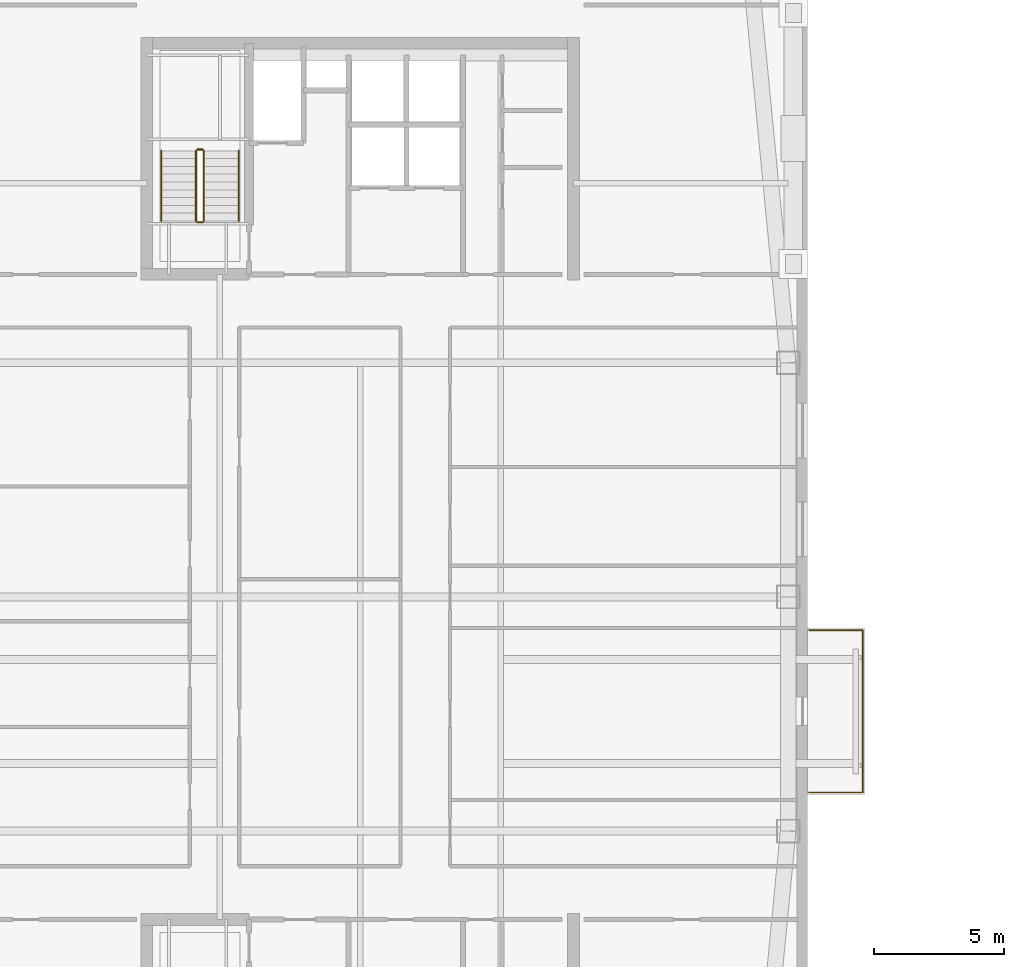
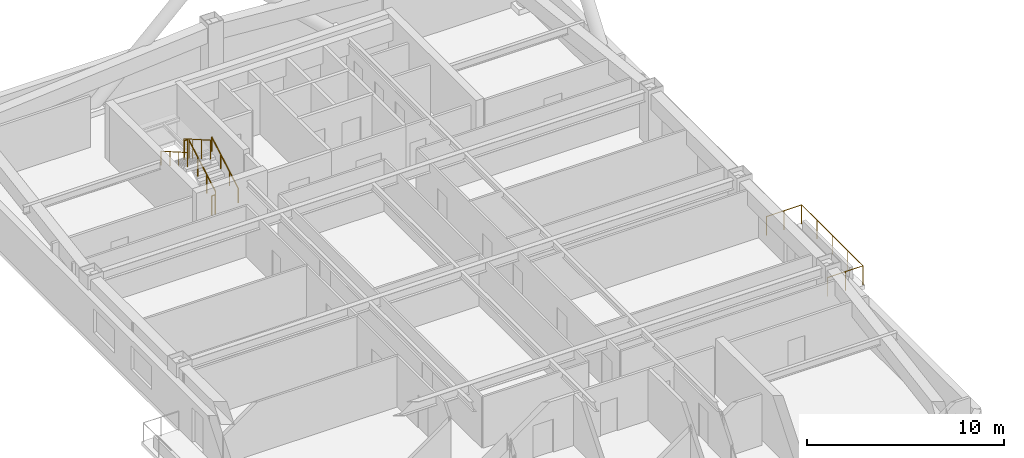
# One storey, part 14 of 16: 7 railings.
"""IFC4 building model written with IfcOpenShell, lengths in metres."""

from ifc_helpers import new_model, si_unit, direction, frame, origin, origin_2d, place, context, subcontext, project, spatial, circle, extrude, material, type_object, element, save


model = new_model("IFC4")

# Units and contexts
model_context = context("Model", 3, precision=1e-05, world=origin(), true_north=direction((0.0, 1.0)))
body_context = subcontext(model_context, "Body", "Model", "MODEL_VIEW")
ifc_project = project(units=[si_unit("LENGTHUNIT", "METRE"), si_unit("AREAUNIT", "SQUARE_METRE"), si_unit("VOLUMEUNIT", "CUBIC_METRE"), si_unit("PLANEANGLEUNIT", "RADIAN"), si_unit("MASSUNIT", "GRAM", prefix="KILO")], contexts=[model_context])

# Site, building, storey
site_placement = place(None, origin())
site = spatial("IfcSite", under=ifc_project, at=site_placement, CompositionType="ELEMENT")
building_placement = place(site_placement, origin())
building = spatial("IfcBuilding", under=site, at=building_placement, Name="Qiaolan Cultural Towers", CompositionType="ELEMENT")
storey_placement = place(building_placement, frame((0.0, 0.0, 188.60009765625)))
storey = spatial("IfcBuildingStorey", under=building, at=storey_placement, Name="L50", CompositionType="ELEMENT", Elevation=188.60009765625)

# Railings
ifc_material_1 = material(Name="Laminated SentryGlas & Stainless Steel S31608 Balustrade", Category="steel")
railing_type_1 = type_object("IfcRailingType", Name="GRD-TERR-1200", PredefinedType="BALUSTRADE", material=ifc_material_1)
railing_1_placement = place(storey_placement, frame((47.25, 26.47998046875, 0.0)))
element("IfcRailing", 1, at=railing_1_placement, inside=storey, type_object=railing_type_1, Name="L50 T1 Tree Balcony Guardrail E", PredefinedType="BALUSTRADE", context=body_context, shape_type="SweptSolid", body=[
    extrude(circle(Radius=0.02392578125, at=origin_2d()), frame((0.0, 0.0, 1.17578125), z_axis=(1.0, 0.0, 0.0), x_axis=(0.0, 1.0, 0.0)), (0.0, 0.0, 1.0), 2.070068359375),
    extrude(circle(Radius=0.02392578125, at=origin_2d()), frame((2.070068359375, 0.0, 1.17578125), z_axis=(0.0, 1.0, 0.0), x_axis=(-1.0, 0.0, 0.0)), (0.0, 0.0, 1.0), 6.239990234375),
    extrude(circle(Radius=0.02392578125, at=origin_2d()), frame((2.070068359375, 6.239990234375, 1.17578125), z_axis=(-1.0, 0.0, 0.0), x_axis=(0.0, -1.0, 0.0)), (0.0, 0.0, 1.0), 2.070068359375),
    extrude(circle(Radius=0.02099609375, at=origin_2d()), origin(), (0.0, 0.0, 1.0), 1.15185546875),
    extrude(circle(Radius=0.02099609375, at=origin_2d()), frame((1.03515625, 0.0, 0.0)), (0.0, 0.0, 1.0), 1.15185546875),
    extrude(circle(Radius=0.02099609375, at=origin_2d()), frame((2.070068359375, 0.0, 0.0)), (0.0, 0.0, 1.0), 1.15185546875),
    extrude(circle(Radius=0.02099609375, at=origin_2d()), frame((2.070068359375, 1.56005859375, 0.0)), (0.0, 0.0, 1.0), 1.15185546875),
    extrude(circle(Radius=0.02099609375, at=origin_2d()), frame((2.070068359375, 3.1201171875, 0.0)), (0.0, 0.0, 1.0), 1.15185546875),
    extrude(circle(Radius=0.02099609375, at=origin_2d()), frame((2.070068359375, 4.679931640625, 0.0)), (0.0, 0.0, 1.0), 1.15185546875),
    extrude(circle(Radius=0.02099609375, at=origin_2d()), frame((2.070068359375, 6.239990234375, 0.0)), (0.0, 0.0, 1.0), 1.15185546875),
    extrude(circle(Radius=0.02099609375, at=origin_2d()), frame((1.03515625, 6.239990234375, 0.0)), (0.0, 0.0, 1.0), 1.15185546875),
    extrude(circle(Radius=0.02099609375, at=origin_2d()), frame((0.0, 6.239990234375, 0.0)), (0.0, 0.0, 1.0), 1.15185546875),
])
ifc_material_2 = material(Name="Galvanized Painted Steel Stair Guardrail", Category="steel")
railing_type_2 = type_object("IfcRailingType", Name="RL-STAIR-GRD", PredefinedType="GUARDRAIL", material=ifc_material_2)
railing_2_placement = place(storey_placement, frame((23.989990234375, 48.449951171875, 0.17236328125)))
element("IfcRailing", 2, at=railing_2_placement, inside=storey, type_object=railing_type_2, Name="L50 ST-W2 stair guard 1", PredefinedType="GUARDRAIL", context=body_context, shape_type="SweptSolid", body=[
    extrude(circle(Radius=0.02392578125, at=origin_2d()), frame((0.0, 0.0, 1.17578125), z_axis=(0.0, 0.866903762492, 0.498475542607), x_axis=(-1.0, 0.0, 0.0)), (0.0, 0.0, 1.0), 3.114501953125),
    extrude(circle(Radius=0.02099609375, at=origin_2d()), origin(), (0.0, 0.0, 1.0), 1.15185546875),
    extrude(circle(Radius=0.02099609375, at=origin_2d()), frame((0.0, 0.89990234375, 0.517578125)), (0.0, 0.0, 1.0), 1.15185546875),
    extrude(circle(Radius=0.02099609375, at=origin_2d()), frame((0.0, 1.800048828125, 1.034912109375)), (0.0, 0.0, 1.0), 1.15185546875),
    extrude(circle(Radius=0.02099609375, at=origin_2d()), frame((0.0, 2.699951171875, 1.552490234375)), (0.0, 0.0, 1.0), 1.15185546875),
])
railing_3_placement = place(storey_placement, frame((23.93994140625, 51.199951171875, 1.724853515625)))
element("IfcRailing", 3, at=railing_3_placement, inside=storey, type_object=railing_type_2, Name="L50 ST-W2 stair guard 2", PredefinedType="GUARDRAIL", context=body_context, shape_type="SweptSolid", body=[
    extrude(circle(Radius=0.02392578125, at=origin_2d()), frame((0.0, 0.0, 1.17578125), z_axis=(-1.0, 0.0, 0.0), x_axis=(0.0, -1.0, 0.0)), (0.0, 0.0, 1.0), 0.199951171875),
    extrude(circle(Radius=0.02099609375, at=origin_2d()), origin(), (0.0, 0.0, 1.0), 1.15185546875),
    extrude(circle(Radius=0.02099609375, at=origin_2d()), frame((-0.199951171875, 0.0, 0.0)), (0.0, 0.0, 1.0), 1.15185546875),
])
railing_4_placement = place(storey_placement, frame((23.68994140625, 51.14990234375, 1.8974609375)))
element("IfcRailing", 4, at=railing_4_placement, inside=storey, type_object=railing_type_2, Name="L50 ST-W2 stair guard 3", PredefinedType="GUARDRAIL", context=body_context, shape_type="SweptSolid", body=[
    extrude(circle(Radius=0.02392578125, at=origin_2d()), frame((0.0, 0.0, 1.17578125), z_axis=(0.0, -0.866903762492, 0.498475542607), x_axis=(1.0, 0.0, 0.0)), (0.0, 0.0, 1.0), 3.114501953125),
    extrude(circle(Radius=0.02099609375, at=origin_2d()), origin(), (0.0, 0.0, 1.0), 1.15185546875),
    extrude(circle(Radius=0.02099609375, at=origin_2d()), frame((0.0, -0.89990234375, 0.517578125)), (0.0, 0.0, 1.0), 1.15185546875),
    extrude(circle(Radius=0.02099609375, at=origin_2d()), frame((0.0, -1.800048828125, 1.034912109375)), (0.0, 0.0, 1.0), 1.15185546875),
    extrude(circle(Radius=0.02099609375, at=origin_2d()), frame((0.0, -2.699951171875, 1.552490234375)), (0.0, 0.0, 1.0), 1.15185546875),
])
railing_5_placement = place(storey_placement, frame((23.93994140625, 48.39990234375, 0.0)))
element("IfcRailing", 5, at=railing_5_placement, inside=storey, type_object=railing_type_2, Name="L50 ST-W2 stair guard 4", PredefinedType="GUARDRAIL", context=body_context, shape_type="SweptSolid", body=[
    extrude(circle(Radius=0.02392578125, at=origin_2d()), frame((0.0, 0.0, 1.17578125), z_axis=(-1.0, 0.0, 0.0), x_axis=(0.0, -1.0, 0.0)), (0.0, 0.0, 1.0), 0.199951171875),
    extrude(circle(Radius=0.02099609375, at=origin_2d()), origin(), (0.0, 0.0, 1.0), 1.15185546875),
    extrude(circle(Radius=0.02099609375, at=origin_2d()), frame((-0.199951171875, 0.0, 0.0)), (0.0, 0.0, 1.0), 1.15185546875),
])
ifc_material_3 = material(Name="Stainless Steel S30408 Tubular Handrail", Category="steel")
railing_type_3 = type_object("IfcRailingType", Name="RL-STAIR-HR", PredefinedType="HANDRAIL", material=ifc_material_3)
railing_6_placement = place(storey_placement, frame((25.330078125, 48.449951171875, 0.17236328125)))
element("IfcRailing", 6, at=railing_6_placement, inside=storey, type_object=railing_type_3, Name="L50 ST-W2 stair handrail 1", PredefinedType="HANDRAIL", context=body_context, shape_type="SweptSolid", body=[
    extrude(circle(Radius=0.02392578125, at=origin_2d()), frame((0.0, 0.0, 0.8759765625), z_axis=(0.0, 0.866903762492, 0.498475542607), x_axis=(-1.0, 0.0, 0.0)), (0.0, 0.0, 1.0), 3.114501953125),
    extrude(circle(Radius=0.02099609375, at=origin_2d()), origin(), (0.0, 0.0, 1.0), 0.851806640625),
    extrude(circle(Radius=0.02099609375, at=origin_2d()), frame((0.0, 0.89990234375, 0.517578125)), (0.0, 0.0, 1.0), 0.851806640625),
    extrude(circle(Radius=0.02099609375, at=origin_2d()), frame((0.0, 1.800048828125, 1.034912109375)), (0.0, 0.0, 1.0), 0.851806640625),
    extrude(circle(Radius=0.02099609375, at=origin_2d()), frame((0.0, 2.699951171875, 1.552490234375)), (0.0, 0.0, 1.0), 0.851806640625),
])
railing_7_placement = place(storey_placement, frame((22.35009765625, 51.14990234375, 1.8974609375)))
element("IfcRailing", 7, at=railing_7_placement, inside=storey, type_object=railing_type_3, Name="L50 ST-W2 stair handrail 2", PredefinedType="HANDRAIL", context=body_context, shape_type="SweptSolid", body=[
    extrude(circle(Radius=0.02392578125, at=origin_2d()), frame((0.0, 0.0, 0.8759765625), z_axis=(0.0, -0.866903762492, 0.498475542607), x_axis=(1.0, 0.0, 0.0)), (0.0, 0.0, 1.0), 3.114501953125),
    extrude(circle(Radius=0.02099609375, at=origin_2d()), origin(), (0.0, 0.0, 1.0), 0.851806640625),
    extrude(circle(Radius=0.02099609375, at=origin_2d()), frame((0.0, -0.89990234375, 0.517578125)), (0.0, 0.0, 1.0), 0.851806640625),
    extrude(circle(Radius=0.02099609375, at=origin_2d()), frame((0.0, -1.800048828125, 1.034912109375)), (0.0, 0.0, 1.0), 0.851806640625),
    extrude(circle(Radius=0.02099609375, at=origin_2d()), frame((0.0, -2.699951171875, 1.552490234375)), (0.0, 0.0, 1.0), 0.851806640625),
])

save(model, "model.ifc")
